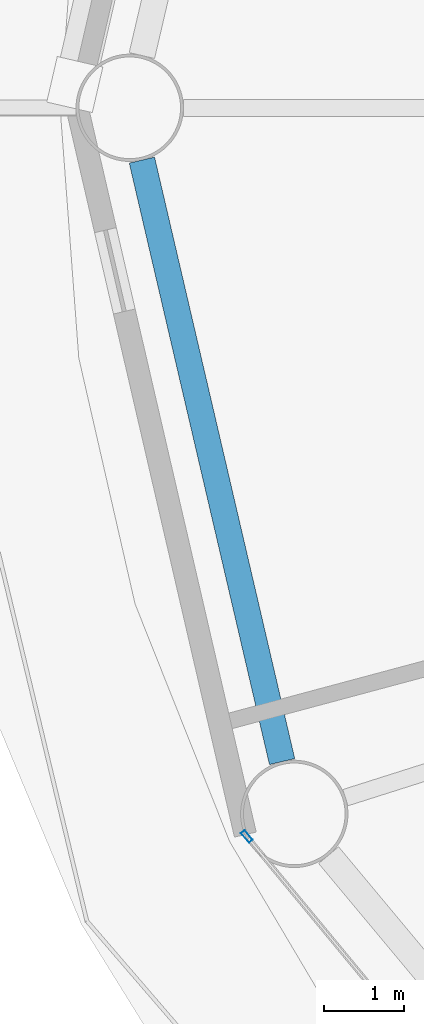
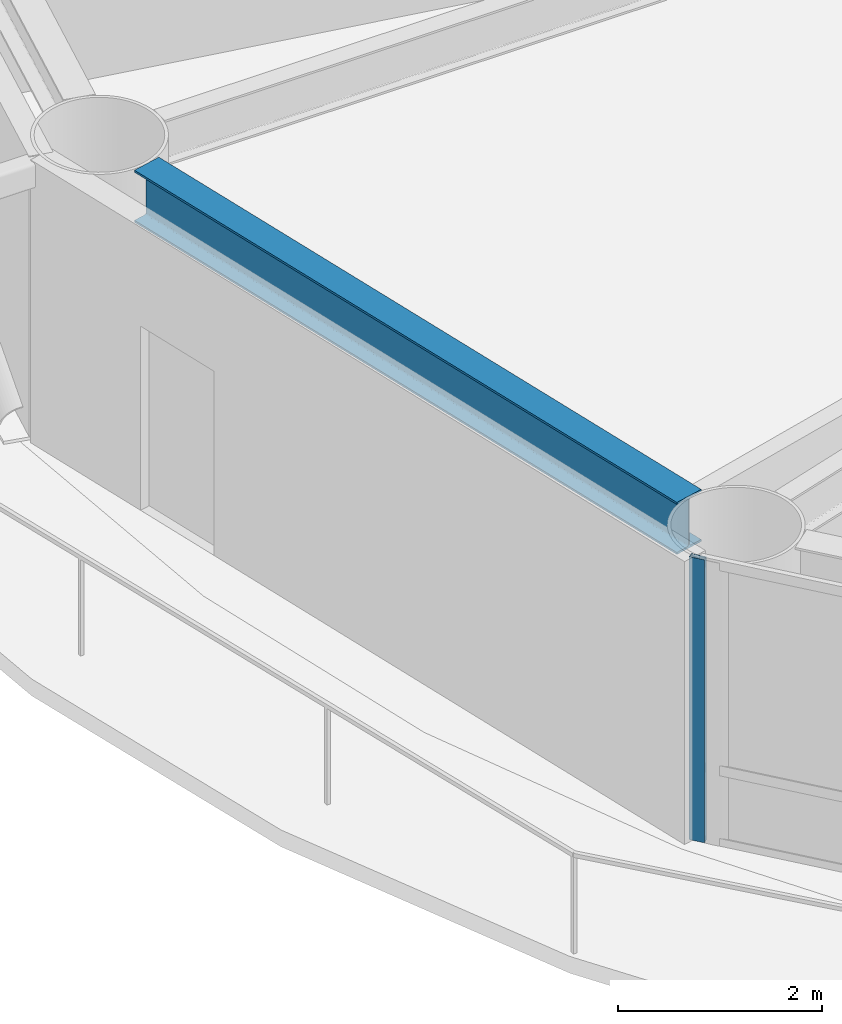
# One storey, part 4 of 26: 1 beam, 1 member, 1 element without a shape of its own.
"""IFC4 building model written with IfcOpenShell, lengths in metres."""

from ifc_helpers import new_model, si_unit, direction, frame, origin, origin_2d, place, context, subcontext, project, spatial, hollow_rectangle, i_section, extrude, material, layer, layer_set, material_profile, profile_set, type_object, element, aggregate, save


model = new_model("IFC4")

# Units and contexts
model_context = context("Model", 3, precision=1e-05, world=origin(), true_north=direction((0.0, 1.0)))
body_context = subcontext(model_context, "Body", "Model", "MODEL_VIEW")
ifc_project = project(units=[si_unit("LENGTHUNIT", "METRE"), si_unit("AREAUNIT", "SQUARE_METRE"), si_unit("VOLUMEUNIT", "CUBIC_METRE"), si_unit("PLANEANGLEUNIT", "RADIAN"), si_unit("MASSUNIT", "GRAM", prefix="KILO")], contexts=[model_context])

# Site, building, storey
site_placement = place(None, origin())
site = spatial("IfcSite", under=ifc_project, at=site_placement, CompositionType="ELEMENT")
building_placement = place(site_placement, origin())
building = spatial("IfcBuilding", under=site, at=building_placement, Name="Sarneth Arch Tower", CompositionType="ELEMENT")
storey_placement = place(building_placement, frame((0.0, 0.0, 42.60009765625)))
storey = spatial("IfcBuildingStorey", under=building, at=storey_placement, Name="L09", CompositionType="ELEMENT", Elevation=42.60009765625)

# Beam
ifc_material_1 = material(Name="Steel S355", Category="steel")
ifc_material_profile_1 = material_profile(ifc_material_1, i_section(OverallWidth=0.326904296875, OverallDepth=0.6220703125, WebThickness=0.015380859375, FlangeThickness=0.0244140625, FilletRadius=0.01904296875, at=origin_2d()), Name="W610x195")
ifc_profile_set_1 = profile_set([ifc_material_profile_1], Name="Steel S355")
beam_type = type_object("IfcBeamType", Name="BM-SPAN-610A", PredefinedType="SPANDREL", material=ifc_profile_set_1)
beam_placement = place(storey_placement, frame((18.118408203125, 41.342529296875, 3.06884765625), z_axis=(0.227001042423, -0.973894515201, 0.0), x_axis=(0.973894515201, 0.227001042423, 0.0)))
element("IfcBeam", 1, at=beam_placement, inside=storey, type_object=beam_type, Name="L09 Perimeter spandrel beam 09", PredefinedType="SPANDREL", context=body_context, shape_type="SweptSolid", body=[
    extrude(i_section(OverallWidth=0.326904296875, OverallDepth=0.6220703125, WebThickness=0.015380859375, FlangeThickness=0.0244140625, FilletRadius=0.01904296875, at=origin_2d()), origin(), (0.0, 0.0, 1.0), 7.76611328125),
])

# Curtain wall, member
ifc_material_2 = material(Name="Anodised aluminium Type AA25 and solar-control low-e laminated IGU", Category="aluminium")
ifc_layer = layer(ifc_material_2, 0.159912109375)
ifc_layer_set = layer_set([ifc_layer], Name="Anodised aluminium Type AA25 and solar-control low-e laminated IGU")
curtain_wall_type = type_object("IfcCurtainWallType", Name="CW-HOTEL-LOW", PredefinedType="NOTDEFINED", material=ifc_layer_set)
curtain_wall_placement = place(storey_placement, origin())
curtain_wall = element("IfcCurtainWall", 2, at=curtain_wall_placement, inside=storey, type_object=curtain_wall_type, Name="L09 Unitised curtain wall facet 10", PredefinedType="NOTDEFINED")
ifc_material_3 = material(Name="Anodised Aluminium 6063-T6", Category="aluminium")
ifc_material_profile_2 = material_profile(ifc_material_3, hollow_rectangle(XDim=0.06005859375, YDim=0.159912109375, WallThickness=0.00390625, at=origin_2d()), Name="AL-MULL-160x60x4")
ifc_profile_set_2 = profile_set([ifc_material_profile_2], Name="Anodised Aluminium 6063-T6")
member_type = type_object("IfcMemberType", Name="CW-MULLION", PredefinedType="MULLION", material=ifc_profile_set_2)
member_placement = place(storey_placement, frame((19.438232421875, 32.83837890625, 0.0), z_axis=(0.0, 0.0, 1.0), x_axis=(0.770622960278, 0.637291340827, 0.0)))
member = element("IfcMember", 3, at=member_placement, type_object=member_type, Name="CW-SYS-3 mullion 1", PredefinedType="MULLION", context=body_context, shape_type="SweptSolid", body=[
    extrude(hollow_rectangle(XDim=0.06005859375, YDim=0.159912109375, WallThickness=0.00390625, at=origin_2d()), origin(), (0.0, 0.0, 1.0), 3.3798828125),
])
aggregate(curtain_wall, [member])

save(model, "model.ifc")
